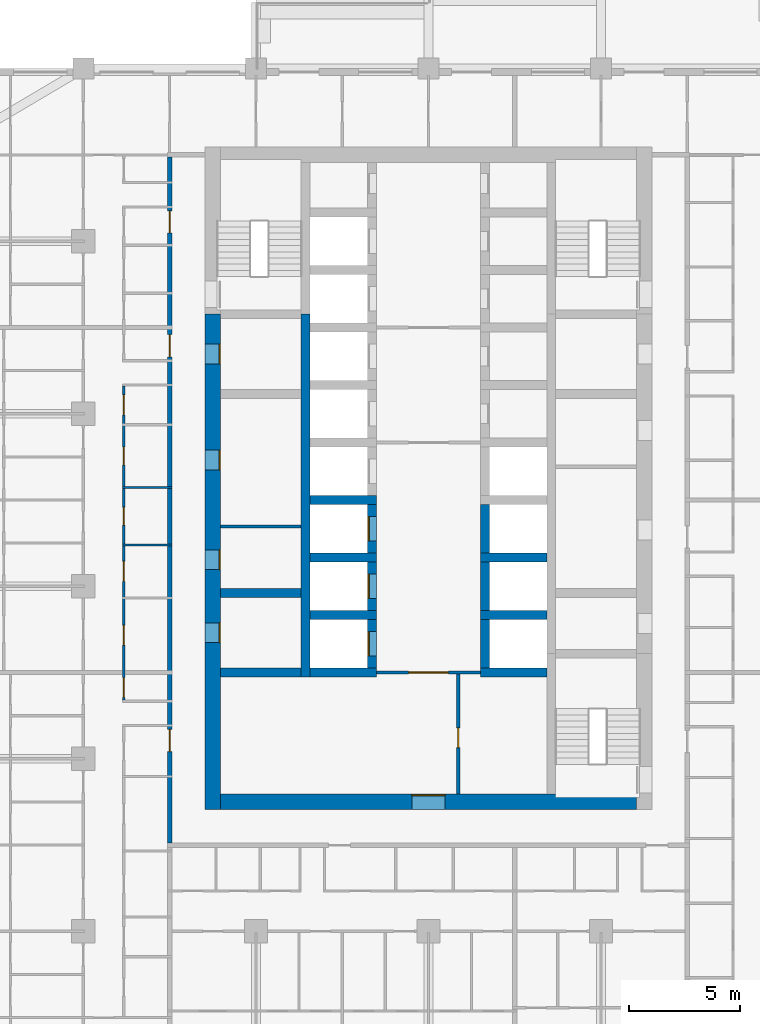
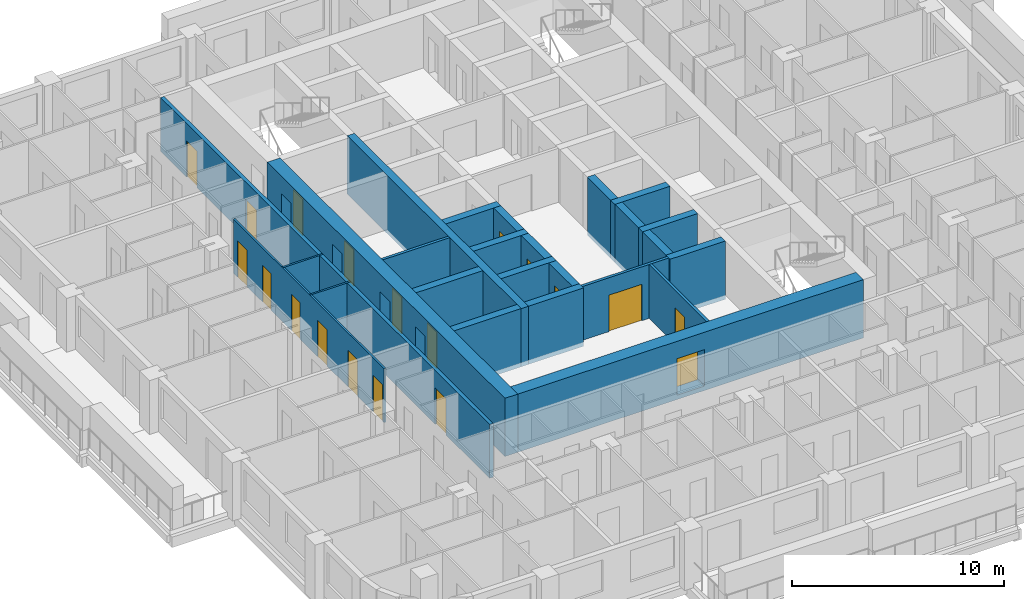
# One storey, part 6 of 17: 25 walls, 19 doors, 19 openings.
"""IFC4 building model written with IfcOpenShell, lengths in metres."""

from ifc_helpers import new_model, si_unit, direction, frame, frame_2d, origin, place, context, subcontext, project, spatial, rectangle, extrude, material, layer, layer_set, type_object, element, fill, save


model = new_model("IFC4")

# Units and contexts
model_context = context("Model", 3, precision=1e-05, world=origin(), true_north=direction((0.0, 1.0)))
body_context = subcontext(model_context, "Body", "Model", "MODEL_VIEW")
ifc_project = project(units=[si_unit("LENGTHUNIT", "METRE"), si_unit("AREAUNIT", "SQUARE_METRE"), si_unit("VOLUMEUNIT", "CUBIC_METRE"), si_unit("PLANEANGLEUNIT", "RADIAN"), si_unit("MASSUNIT", "GRAM", prefix="KILO")], contexts=[model_context])

# Site, building, storey
site_placement = place(None, origin())
site = spatial("IfcSite", under=ifc_project, at=site_placement, CompositionType="ELEMENT")
building_placement = place(site_placement, origin())
building = spatial("IfcBuilding", under=site, at=building_placement, Name="Ludao Terraces", CompositionType="ELEMENT")
storey_placement = place(building_placement, frame((0.0, 0.0, 92.0)))
storey = spatial("IfcBuildingStorey", under=building, at=storey_placement, Name="L25", CompositionType="ELEMENT", Elevation=92.0)

# Wall, openings, doors
ifc_material_1 = material(Name="Concrete C70", Category="concrete")
ifc_layer_1 = layer(ifc_material_1, 0.699951171875)
ifc_layer_set_1 = layer_set([ifc_layer_1], Name="Core wall 700 C70")
wall_type_1 = type_object("IfcWallType", Name="Core wall 700 C70", PredefinedType="SOLIDWALL", material=ifc_layer_set_1)
wall_1_placement = place(storey_placement, frame((75.25, 54.89990234375, -0.25), z_axis=(0.0, 0.0, 1.0), x_axis=(0.0, 1.0, 0.0)))
wall_1 = element("IfcWall", 1, at=wall_1_placement, inside=storey, type_object=wall_type_1, Name="Core wall L25 outer-W", PredefinedType="SOLIDWALL", context=body_context, shape_type="SweptSolid", body=[
    extrude(rectangle(XDim=22.400146484375, YDim=0.699951171875, at=frame_2d((11.2001953125, 0.0))), origin(), (0.0, 0.0, 1.0), 3.35009765625),
])
opening_1_placement = place(wall_1_placement, frame((7.550048828125, 0.0, 0.25)))
opening_1 = element("IfcOpeningElement", 2, at=opening_1_placement, cuts=wall_1, Name="Opening R07-077", PredefinedType="OPENING", context=body_context, shape_type="SweptSolid", body=[
    extrude(rectangle(XDim=0.89990234375, YDim=2.10009765625, at=frame_2d((0.449951171875, 1.050048828125))), frame((0.0, 0.35986328125, 0.0), z_axis=(0.0, -1.0, 0.0), x_axis=(1.0, 0.0, 0.0)), (0.0, 0.0, 1.0), 0.719970703125),
])
opening_2_placement = place(wall_1_placement, frame((10.85009765625, 0.0, 0.25)))
opening_2 = element("IfcOpeningElement", 3, at=opening_2_placement, cuts=wall_1, Name="Opening R07-087", PredefinedType="OPENING", context=body_context, shape_type="SweptSolid", body=[
    extrude(rectangle(XDim=0.89990234375, YDim=2.10009765625, at=frame_2d((0.449951171875, 1.050048828125))), frame((0.0, 0.35986328125, 0.0), z_axis=(0.0, -1.0, 0.0), x_axis=(1.0, 0.0, 0.0)), (0.0, 0.0, 1.0), 0.719970703125),
])
opening_3_placement = place(wall_1_placement, frame((15.35009765625, 0.0, 0.25)))
opening_3 = element("IfcOpeningElement", 4, at=opening_3_placement, cuts=wall_1, Name="Opening R07-101", PredefinedType="OPENING", context=body_context, shape_type="SweptSolid", body=[
    extrude(rectangle(XDim=0.89990234375, YDim=2.10009765625, at=frame_2d((0.449951171875, 1.050048828125))), frame((0.0, 0.35986328125, 0.0), z_axis=(0.0, -1.0, 0.0), x_axis=(1.0, 0.0, 0.0)), (0.0, 0.0, 1.0), 0.719970703125),
])
opening_4_placement = place(wall_1_placement, frame((20.14990234375, 0.0, 0.25)))
opening_4 = element("IfcOpeningElement", 5, at=opening_4_placement, cuts=wall_1, Name="Opening R07-119", PredefinedType="OPENING", context=body_context, shape_type="SweptSolid", body=[
    extrude(rectangle(XDim=0.89990234375, YDim=2.10009765625, at=frame_2d((0.449951171875, 1.050048828125))), frame((0.0, 0.35986328125, 0.0), z_axis=(0.0, -1.0, 0.0), x_axis=(1.0, 0.0, 0.0)), (0.0, 0.0, 1.0), 0.719970703125),
])
ifc_material_2 = material(Name="Steel Q235", Category="steel")
door_type_1 = type_object("IfcDoorType", Name="INT Riser door 900", OperationType="SINGLE_SWING_LEFT", PredefinedType="DOOR", material=ifc_material_2)
door_1_placement = place(opening_1_placement, origin())
door_1 = element("IfcDoor", 6, at=door_1_placement, inside=storey, type_object=door_type_1, Name="DOOR 077", OperationType="SINGLE_SWING_RIGHT", OverallHeight=2.10009765625, OverallWidth=0.89990234375, PredefinedType="DOOR", context=body_context, shape_type="SweptSolid", body=[
    extrude(rectangle(XDim=0.89990234375, YDim=2.10009765625, at=frame_2d((0.449951171875, 1.050048828125))), frame((0.0, -0.28515625, 0.0), z_axis=(0.0, -1.0, 0.0), x_axis=(1.0, 0.0, 0.0)), (0.0, 0.0, 1.0), 0.050048828125),
])
fill(opening_1, door_1)
door_2_placement = place(opening_4_placement, origin())
door_2 = element("IfcDoor", 7, at=door_2_placement, inside=storey, type_object=door_type_1, Name="DOOR 119", OperationType="SINGLE_SWING_RIGHT", OverallHeight=2.10009765625, OverallWidth=0.89990234375, PredefinedType="DOOR", context=body_context, shape_type="SweptSolid", body=[
    extrude(rectangle(XDim=0.89990234375, YDim=2.10009765625, at=frame_2d((0.449951171875, 1.050048828125))), frame((0.0, -0.28515625, 0.0), z_axis=(0.0, -1.0, 0.0), x_axis=(1.0, 0.0, 0.0)), (0.0, 0.0, 1.0), 0.050048828125),
])
fill(opening_4, door_2)
ifc_material_3 = material(Name="Timber door leaf", Category="wood")
door_type_2 = type_object("IfcDoorType", Name="INT Room door 900", OperationType="SINGLE_SWING_LEFT", PredefinedType="DOOR", material=ifc_material_3)
door_3_placement = place(opening_2_placement, origin())
door_3 = element("IfcDoor", 8, at=door_3_placement, inside=storey, type_object=door_type_2, Name="DOOR 087", OperationType="SINGLE_SWING_RIGHT", OverallHeight=2.10009765625, OverallWidth=0.89990234375, PredefinedType="DOOR", context=body_context, shape_type="SweptSolid", body=[
    extrude(rectangle(XDim=0.89990234375, YDim=2.10009765625, at=frame_2d((0.449951171875, 1.050048828125))), frame((0.0, -0.28515625, 0.0), z_axis=(0.0, -1.0, 0.0), x_axis=(1.0, 0.0, 0.0)), (0.0, 0.0, 1.0), 0.050048828125),
])
fill(opening_2, door_3)
door_4_placement = place(opening_3_placement, origin())
door_4 = element("IfcDoor", 9, at=door_4_placement, inside=storey, type_object=door_type_2, Name="DOOR 101", OperationType="SINGLE_SWING_LEFT", OverallHeight=2.10009765625, OverallWidth=0.89990234375, PredefinedType="DOOR", context=body_context, shape_type="SweptSolid", body=[
    extrude(rectangle(XDim=0.89990234375, YDim=2.10009765625, at=frame_2d((0.449951171875, 1.050048828125))), frame((0.0, -0.28515625, 0.0), z_axis=(0.0, -1.0, 0.0), x_axis=(1.0, 0.0, 0.0)), (0.0, 0.0, 1.0), 0.050048828125),
])
fill(opening_3, door_4)

# Wall, opening, door
wall_2_placement = place(storey_placement, frame((75.60009765625, 55.25, -0.25), z_axis=(0.0, 0.0, 1.0), x_axis=(1.0, 0.0, 0.0)))
wall_2 = element("IfcWall", 10, at=wall_2_placement, inside=storey, type_object=wall_type_1, Name="Core wall L25 outer-S", PredefinedType="SOLIDWALL", context=body_context, shape_type="SweptSolid", body=[
    extrude(rectangle(XDim=18.7998046875, YDim=0.699951171875, at=frame_2d((9.39990234375, 0.0))), origin(), (0.0, 0.0, 1.0), 3.35009765625),
])
opening_5_placement = place(wall_2_placement, frame((8.64990234375, 0.0, 0.25)))
opening_5 = element("IfcOpeningElement", 11, at=opening_5_placement, cuts=wall_2, Name="Opening R07-053", PredefinedType="OPENING", context=body_context, shape_type="SweptSolid", body=[
    extrude(rectangle(XDim=1.5, YDim=2.10009765625, at=frame_2d((0.75, 1.050048828125))), frame((0.0, 0.35986328125, 0.0), z_axis=(0.0, -1.0, 0.0), x_axis=(1.0, 0.0, 0.0)), (0.0, 0.0, 1.0), 0.719970703125),
])
door_type_3 = type_object("IfcDoorType", Name="INT Lobby door 1500", OperationType="DOUBLE_DOOR_SINGLE_SWING", PredefinedType="DOOR", material=ifc_material_2)
door_5_placement = place(opening_5_placement, origin())
door_5 = element("IfcDoor", 12, at=door_5_placement, inside=storey, type_object=door_type_3, Name="DOOR 053", OperationType="DOUBLE_DOOR_SINGLE_SWING", OverallHeight=2.10009765625, OverallWidth=1.5, PredefinedType="DOOR", context=body_context, shape_type="SweptSolid", body=[
    extrude(rectangle(XDim=1.5, YDim=2.10009765625, at=frame_2d((0.75, 1.050048828125))), frame((0.0, 0.3349609375, 0.0), z_axis=(0.0, -1.0, 0.0), x_axis=(1.0, 0.0, 0.0)), (0.0, 0.0, 1.0), 0.050048828125),
])
fill(opening_5, door_5)

ifc_material_4 = material(Name="Fire-rated gypsum plasterboard", Category="gypsum")
ifc_layer_2 = layer(ifc_material_4, 0.012451171875, Category="gypsum")
ifc_material_5 = material(Name="Mineral wool")
ifc_layer_3 = layer(ifc_material_5, 0.10009765625, Name="insulation")
ifc_layer_4 = layer(ifc_material_2, 0.02490234375, Name="stud")
ifc_layer_5 = layer(ifc_material_4, 0.012451171875, Category="gypsum")
ifc_layer_set_2 = layer_set([ifc_layer_2, ifc_layer_3, ifc_layer_4, ifc_layer_5], Name="INT Core partition 150")
wall_type_2 = type_object("IfcWallType", Name="INT Core partition 150", PredefinedType="PARTITIONING", material=ifc_layer_set_2)
wall_3_placement = place(storey_placement, frame((82.650146484375, 61.10009765625, 0.0), z_axis=(0.0, 0.0, 1.0), x_axis=(1.0, 0.0, 0.0)))
wall_3 = element("IfcWall", 13, at=wall_3_placement, inside=storey, type_object=wall_type_2, Name="PW-L25-PW033", PredefinedType="PARTITIONING", context=body_context, shape_type="SweptSolid", body=[
    extrude(rectangle(XDim=4.699951171875, YDim=0.14990234375, at=frame_2d((2.35009765625, 0.0))), origin(), (0.0, 0.0, 1.0), 3.10009765625),
])
opening_6_placement = place(wall_3_placement, frame((1.449951171875, 0.0, 0.0)))
opening_6 = element("IfcOpeningElement", 14, at=opening_6_placement, cuts=wall_3, Name="Opening R07-072", PredefinedType="OPENING", context=body_context, shape_type="SweptSolid", body=[
    extrude(rectangle(XDim=1.800048828125, YDim=2.10009765625, at=frame_2d((0.89990234375, 1.050048828125))), frame((0.0, 0.0849609375, 0.0), z_axis=(0.0, -1.0, 0.0), x_axis=(1.0, 0.0, 0.0)), (0.0, 0.0, 1.0), 0.169921875),
])
door_type_4 = type_object("IfcDoorType", Name="INT Fire lobby door 1800", OperationType="DOUBLE_DOOR_SINGLE_SWING", PredefinedType="DOOR", material=ifc_material_2)
door_6_placement = place(opening_6_placement, origin())
door_6 = element("IfcDoor", 15, at=door_6_placement, inside=storey, type_object=door_type_4, Name="DOOR 072", OperationType="DOUBLE_DOOR_SINGLE_SWING", OverallHeight=2.10009765625, OverallWidth=1.800048828125, PredefinedType="DOOR", context=body_context, shape_type="SweptSolid", body=[
    extrude(rectangle(XDim=1.800048828125, YDim=2.10009765625, at=frame_2d((0.89990234375, 1.050048828125))), frame((0.0, 0.02490234375, 0.0), z_axis=(0.0, -1.0, 0.0), x_axis=(1.0, 0.0, 0.0)), (0.0, 0.0, 1.0), 0.050048828125),
])
fill(opening_6, door_6)

# Wall
wall_4_placement = place(storey_placement, frame((75.60009765625, 67.699951171875, 0.0), z_axis=(0.0, 0.0, 1.0), x_axis=(1.0, 0.0, 0.0)))
element("IfcWall", 16, at=wall_4_placement, inside=storey, type_object=wall_type_2, Name="PW-L25-PW044", PredefinedType="PARTITIONING", context=body_context, shape_type="SweptSolid", body=[
    extrude(rectangle(XDim=3.64990234375, YDim=0.14990234375, at=frame_2d((1.824951171875, 0.0))), origin(), (0.0, 0.0, 1.0), 3.10009765625),
])

# Wall, opening, door
wall_5_placement = place(storey_placement, frame((86.35009765625, 55.60009765625, 0.0), z_axis=(0.0, 0.0, 1.0), x_axis=(0.0, 1.0, 0.0)))
wall_5 = element("IfcWall", 17, at=wall_5_placement, inside=storey, type_object=wall_type_2, Name="PW-L25-PW104", PredefinedType="PARTITIONING", context=body_context, shape_type="SweptSolid", body=[
    extrude(rectangle(XDim=5.425048828125, YDim=0.14990234375, at=frame_2d((2.71240234375, 0.0))), origin(), (0.0, 0.0, 1.0), 3.10009765625),
])
opening_7_placement = place(wall_5_placement, frame((2.10009765625, 0.0, 0.0)))
opening_7 = element("IfcOpeningElement", 18, at=opening_7_placement, cuts=wall_5, Name="Opening R07-063", PredefinedType="OPENING", context=body_context, shape_type="SweptSolid", body=[
    extrude(rectangle(XDim=0.89990234375, YDim=2.10009765625, at=frame_2d((0.449951171875, 1.050048828125))), frame((0.0, 0.0849609375, 0.0), z_axis=(0.0, -1.0, 0.0), x_axis=(1.0, 0.0, 0.0)), (0.0, 0.0, 1.0), 0.169921875),
])
door_7_placement = place(opening_7_placement, origin())
door_7 = element("IfcDoor", 19, at=door_7_placement, inside=storey, type_object=door_type_2, Name="DOOR 063", OperationType="SINGLE_SWING_RIGHT", OverallHeight=2.10009765625, OverallWidth=0.89990234375, PredefinedType="DOOR", context=body_context, shape_type="SweptSolid", body=[
    extrude(rectangle(XDim=0.89990234375, YDim=2.10009765625, at=frame_2d((0.449951171875, 1.050048828125))), frame((0.0, 0.02490234375, 0.0), z_axis=(0.0, -1.0, 0.0), x_axis=(1.0, 0.0, 0.0)), (0.0, 0.0, 1.0), 0.050048828125),
])
fill(opening_7, door_7)

# Wall, openings, doors
ifc_material_6 = material(Name="Autoclaved aerated concrete block B06 A3.5", Category="concrete")
ifc_layer_6 = layer(ifc_material_6, 0.199951171875)
ifc_layer_set_3 = layer_set([ifc_layer_6], Name="INT Entrance wall 200")
wall_type_3 = type_object("IfcWallType", Name="INT Entrance wall 200", PredefinedType="PARTITIONING", material=ifc_layer_set_3)
wall_6_placement = place(storey_placement, frame((73.300048828125, 53.400146484375, 0.0), z_axis=(0.0, 0.0, 1.0), x_axis=(0.0, 1.0, 0.0)))
wall_6 = element("IfcWall", 20, at=wall_6_placement, inside=storey, type_object=wall_type_3, Name="PW-L25-PW088", PredefinedType="PARTITIONING", context=body_context, shape_type="SweptSolid", body=[
    extrude(rectangle(XDim=31.0, YDim=0.199951171875, at=frame_2d((15.5, 0.0))), origin(), (0.0, 0.0, 1.0), 3.10009765625),
])
opening_8_placement = place(wall_6_placement, frame((4.125, 0.0, 0.0)))
opening_8 = element("IfcOpeningElement", 21, at=opening_8_placement, cuts=wall_6, Name="Opening R07-062", PredefinedType="OPENING", context=body_context, shape_type="SweptSolid", body=[
    extrude(rectangle(XDim=1.0, YDim=2.10009765625, at=frame_2d((0.5, 1.050048828125))), frame((0.0, 0.10986328125, 0.0), z_axis=(0.0, -1.0, 0.0), x_axis=(1.0, 0.0, 0.0)), (0.0, 0.0, 1.0), 0.219970703125),
])
opening_9_placement = place(wall_6_placement, frame((21.97509765625, 0.0, 0.0)))
opening_9 = element("IfcOpeningElement", 22, at=opening_9_placement, cuts=wall_6, Name="Opening R07-124", PredefinedType="OPENING", context=body_context, shape_type="SweptSolid", body=[
    extrude(rectangle(XDim=1.0, YDim=2.10009765625, at=frame_2d((0.5, 1.050048828125))), frame((0.0, 0.10986328125, 0.0), z_axis=(0.0, -1.0, 0.0), x_axis=(1.0, 0.0, 0.0)), (0.0, 0.0, 1.0), 0.219970703125),
])
opening_10_placement = place(wall_6_placement, frame((27.574951171875, 0.0, 0.0)))
opening_10 = element("IfcOpeningElement", 23, at=opening_10_placement, cuts=wall_6, Name="Opening R07-143", PredefinedType="OPENING", context=body_context, shape_type="SweptSolid", body=[
    extrude(rectangle(XDim=1.0, YDim=2.10009765625, at=frame_2d((0.5, 1.050048828125))), frame((0.0, 0.10986328125, 0.0), z_axis=(0.0, -1.0, 0.0), x_axis=(1.0, 0.0, 0.0)), (0.0, 0.0, 1.0), 0.219970703125),
])
door_type_5 = type_object("IfcDoorType", Name="INT Flat entrance door 1000", OperationType="SINGLE_SWING_LEFT", PredefinedType="DOOR", material=ifc_material_2)
door_8_placement = place(opening_8_placement, origin())
door_8 = element("IfcDoor", 24, at=door_8_placement, inside=storey, type_object=door_type_5, Name="DOOR 062", OperationType="SINGLE_SWING_LEFT", OverallHeight=2.10009765625, OverallWidth=1.0, PredefinedType="DOOR", context=body_context, shape_type="SweptSolid", body=[
    extrude(rectangle(XDim=1.0, YDim=2.10009765625, at=frame_2d((0.5, 1.050048828125))), frame((0.0, 0.02490234375, 0.0), z_axis=(0.0, -1.0, 0.0), x_axis=(1.0, 0.0, 0.0)), (0.0, 0.0, 1.0), 0.050048828125),
])
fill(opening_8, door_8)
door_9_placement = place(opening_9_placement, origin())
door_9 = element("IfcDoor", 25, at=door_9_placement, inside=storey, type_object=door_type_5, Name="DOOR 124", OperationType="SINGLE_SWING_RIGHT", OverallHeight=2.10009765625, OverallWidth=1.0, PredefinedType="DOOR", context=body_context, shape_type="SweptSolid", body=[
    extrude(rectangle(XDim=1.0, YDim=2.10009765625, at=frame_2d((0.5, 1.050048828125))), frame((0.0, 0.02490234375, 0.0), z_axis=(0.0, -1.0, 0.0), x_axis=(1.0, 0.0, 0.0)), (0.0, 0.0, 1.0), 0.050048828125),
])
fill(opening_9, door_9)
door_10_placement = place(opening_10_placement, origin())
door_10 = element("IfcDoor", 26, at=door_10_placement, inside=storey, type_object=door_type_5, Name="DOOR 143", OperationType="SINGLE_SWING_LEFT", OverallHeight=2.10009765625, OverallWidth=1.0, PredefinedType="DOOR", context=body_context, shape_type="SweptSolid", body=[
    extrude(rectangle(XDim=1.0, YDim=2.10009765625, at=frame_2d((0.5, 1.050048828125))), frame((0.0, 0.02490234375, 0.0), z_axis=(0.0, -1.0, 0.0), x_axis=(1.0, 0.0, 0.0)), (0.0, 0.0, 1.0), 0.050048828125),
])
fill(opening_10, door_10)

# Walls
ifc_material_7 = material(Name="Gypsum plasterboard", Category="gypsum")
ifc_layer_7 = layer(ifc_material_7, 0.012451171875, Category="gypsum")
ifc_layer_8 = layer(ifc_material_5, 0.06005859375, Name="insulation")
ifc_layer_9 = layer(ifc_material_2, 0.014892578125, Name="stud")
ifc_layer_10 = layer(ifc_material_7, 0.012451171875, Category="gypsum")
ifc_layer_set_4 = layer_set([ifc_layer_7, ifc_layer_8, ifc_layer_9, ifc_layer_10], Name="INT Partition 100")
wall_type_4 = type_object("IfcWallType", Name="INT Partition 100", PredefinedType="PARTITIONING", material=ifc_layer_set_4)
for number, where, z_axis, x_axis, name in (
    (27, (71.18017578125, 66.8701171875, 0.0), (0.0, 0.0, 1.0), (1.0, 0.0, 0.0), "PW-L25-PW042"),
    (28, (71.18017578125, 69.469970703125, 0.0), (0.0, 0.0, 1.0), (1.0, 0.0, 0.0), "PW-L25-PW047"),
):
    element("IfcWall", number, at=place(storey_placement, frame(where, z_axis=z_axis, x_axis=x_axis)), inside=storey, type_object=wall_type_4, Name=name, PredefinedType="PARTITIONING", context=body_context, shape_type="SweptSolid", body=[
        extrude(rectangle(XDim=2.219970703125, YDim=0.10009765625, at=frame_2d((1.10986328125, 0.0))), origin(), (0.0, 0.0, 1.0), 3.10009765625),
    ])

# Wall, openings, doors
wall_7_placement = place(storey_placement, frame((71.22998046875, 59.85009765625, 0.0), z_axis=(0.0, 0.0, 1.0), x_axis=(0.0, 1.0, 0.0)))
wall_7 = element("IfcWall", 29, at=wall_7_placement, inside=storey, type_object=wall_type_4, Name="PW-L25-PW084", PredefinedType="PARTITIONING", context=body_context, shape_type="SweptSolid", body=[
    extrude(rectangle(XDim=14.199951171875, YDim=0.10009765625, at=frame_2d((7.10009765625, 0.0))), origin(), (0.0, 0.0, 1.0), 3.10009765625),
])
opening_11_placement = place(wall_7_placement, frame((0.125, 0.0, 0.0)))
opening_11 = element("IfcOpeningElement", 30, at=opening_11_placement, cuts=wall_7, Name="Opening R07-070", PredefinedType="OPENING", context=body_context, shape_type="SweptSolid", body=[
    extrude(rectangle(XDim=0.89990234375, YDim=2.10009765625, at=frame_2d((0.449951171875, 1.050048828125))), frame((0.0, 0.06005859375, 0.0), z_axis=(0.0, -1.0, 0.0), x_axis=(1.0, 0.0, 0.0)), (0.0, 0.0, 1.0), 0.1201171875),
])
opening_12_placement = place(wall_7_placement, frame((2.485107421875, 0.0, 0.0)))
opening_12 = element("IfcOpeningElement", 31, at=opening_12_placement, cuts=wall_7, Name="Opening R07-076", PredefinedType="OPENING", context=body_context, shape_type="SweptSolid", body=[
    extrude(rectangle(XDim=0.89990234375, YDim=2.10009765625, at=frame_2d((0.449951171875, 1.050048828125))), frame((0.0, 0.06005859375, 0.0), z_axis=(0.0, -1.0, 0.0), x_axis=(1.0, 0.0, 0.0)), (0.0, 0.0, 1.0), 0.1201171875),
])
opening_13_placement = place(wall_7_placement, frame((5.3701171875, 0.0, 0.0)))
opening_13 = element("IfcOpeningElement", 32, at=opening_13_placement, cuts=wall_7, Name="Opening R07-085", PredefinedType="OPENING", context=body_context, shape_type="SweptSolid", body=[
    extrude(rectangle(XDim=0.89990234375, YDim=2.10009765625, at=frame_2d((0.449951171875, 1.050048828125))), frame((0.0, 0.06005859375, 0.0), z_axis=(0.0, -1.0, 0.0), x_axis=(1.0, 0.0, 0.0)), (0.0, 0.0, 1.0), 0.1201171875),
])
opening_14_placement = place(wall_7_placement, frame((7.919921875, 0.0, 0.0)))
opening_14 = element("IfcOpeningElement", 33, at=opening_14_placement, cuts=wall_7, Name="Opening R07-096", PredefinedType="OPENING", context=body_context, shape_type="SweptSolid", body=[
    extrude(rectangle(XDim=0.800048828125, YDim=2.10009765625, at=frame_2d((0.39990234375, 1.050048828125))), frame((0.0, 0.06005859375, 0.0), z_axis=(0.0, -1.0, 0.0), x_axis=(1.0, 0.0, 0.0)), (0.0, 0.0, 1.0), 0.1201171875),
])
opening_15_placement = place(wall_7_placement, frame((10.635009765625, 0.0, 0.0)))
opening_15 = element("IfcOpeningElement", 34, at=opening_15_placement, cuts=wall_7, Name="Opening R07-102", PredefinedType="OPENING", context=body_context, shape_type="SweptSolid", body=[
    extrude(rectangle(XDim=0.800048828125, YDim=2.10009765625, at=frame_2d((0.39990234375, 1.050048828125))), frame((0.0, 0.06005859375, 0.0), z_axis=(0.0, -1.0, 0.0), x_axis=(1.0, 0.0, 0.0)), (0.0, 0.0, 1.0), 0.1201171875),
])
opening_16_placement = place(wall_7_placement, frame((12.89990234375, 0.0, 0.0)))
opening_16 = element("IfcOpeningElement", 35, at=opening_16_placement, cuts=wall_7, Name="Opening R07-112", PredefinedType="OPENING", context=body_context, shape_type="SweptSolid", body=[
    extrude(rectangle(XDim=0.89990234375, YDim=2.10009765625, at=frame_2d((0.449951171875, 1.050048828125))), frame((0.0, 0.06005859375, 0.0), z_axis=(0.0, -1.0, 0.0), x_axis=(1.0, 0.0, 0.0)), (0.0, 0.0, 1.0), 0.1201171875),
])
door_type_6 = type_object("IfcDoorType", Name="INT Bathroom door 900", OperationType="SINGLE_SWING_LEFT", PredefinedType="DOOR", material=ifc_material_3)
door_11_placement = place(opening_11_placement, origin())
door_11 = element("IfcDoor", 36, at=door_11_placement, inside=storey, type_object=door_type_6, Name="DOOR 070", OperationType="SINGLE_SWING_LEFT", OverallHeight=2.10009765625, OverallWidth=0.89990234375, PredefinedType="DOOR", context=body_context, shape_type="SweptSolid", body=[
    extrude(rectangle(XDim=0.89990234375, YDim=2.10009765625, at=frame_2d((0.449951171875, 1.050048828125))), frame((0.0, 0.02490234375, 0.0), z_axis=(0.0, -1.0, 0.0), x_axis=(1.0, 0.0, 0.0)), (0.0, 0.0, 1.0), 0.050048828125),
])
fill(opening_11, door_11)
door_12_placement = place(opening_13_placement, origin())
door_12 = element("IfcDoor", 37, at=door_12_placement, inside=storey, type_object=door_type_6, Name="DOOR 085", OperationType="SINGLE_SWING_RIGHT", OverallHeight=2.10009765625, OverallWidth=0.89990234375, PredefinedType="DOOR", context=body_context, shape_type="SweptSolid", body=[
    extrude(rectangle(XDim=0.89990234375, YDim=2.10009765625, at=frame_2d((0.449951171875, 1.050048828125))), frame((0.0, 0.02490234375, 0.0), z_axis=(0.0, -1.0, 0.0), x_axis=(1.0, 0.0, 0.0)), (0.0, 0.0, 1.0), 0.050048828125),
])
fill(opening_13, door_12)
door_13_placement = place(opening_16_placement, origin())
door_13 = element("IfcDoor", 38, at=door_13_placement, inside=storey, type_object=door_type_6, Name="DOOR 112", OperationType="SINGLE_SWING_RIGHT", OverallHeight=2.10009765625, OverallWidth=0.89990234375, PredefinedType="DOOR", context=body_context, shape_type="SweptSolid", body=[
    extrude(rectangle(XDim=0.89990234375, YDim=2.10009765625, at=frame_2d((0.449951171875, 1.050048828125))), frame((0.0, 0.02490234375, 0.0), z_axis=(0.0, -1.0, 0.0), x_axis=(1.0, 0.0, 0.0)), (0.0, 0.0, 1.0), 0.050048828125),
])
fill(opening_16, door_13)
door_14_placement = place(opening_12_placement, origin())
door_14 = element("IfcDoor", 39, at=door_14_placement, inside=storey, type_object=door_type_2, Name="DOOR 076", OperationType="SINGLE_SWING_RIGHT", OverallHeight=2.10009765625, OverallWidth=0.89990234375, PredefinedType="DOOR", context=body_context, shape_type="SweptSolid", body=[
    extrude(rectangle(XDim=0.89990234375, YDim=2.10009765625, at=frame_2d((0.449951171875, 1.050048828125))), frame((0.0, 0.02490234375, 0.0), z_axis=(0.0, -1.0, 0.0), x_axis=(1.0, 0.0, 0.0)), (0.0, 0.0, 1.0), 0.050048828125),
])
fill(opening_12, door_14)
door_type_7 = type_object("IfcDoorType", Name="INT Store door 800", OperationType="SINGLE_SWING_LEFT", PredefinedType="DOOR", material=ifc_material_3)
door_15_placement = place(opening_14_placement, origin())
door_15 = element("IfcDoor", 40, at=door_15_placement, inside=storey, type_object=door_type_7, Name="DOOR 096", OperationType="SINGLE_SWING_RIGHT", OverallHeight=2.10009765625, OverallWidth=0.800048828125, PredefinedType="DOOR", context=body_context, shape_type="SweptSolid", body=[
    extrude(rectangle(XDim=0.800048828125, YDim=2.10009765625, at=frame_2d((0.39990234375, 1.050048828125))), frame((0.0, 0.02490234375, 0.0), z_axis=(0.0, -1.0, 0.0), x_axis=(1.0, 0.0, 0.0)), (0.0, 0.0, 1.0), 0.050048828125),
])
fill(opening_14, door_15)
door_16_placement = place(opening_15_placement, origin())
door_16 = element("IfcDoor", 41, at=door_16_placement, inside=storey, type_object=door_type_7, Name="DOOR 102", OperationType="SINGLE_SWING_RIGHT", OverallHeight=2.10009765625, OverallWidth=0.800048828125, PredefinedType="DOOR", context=body_context, shape_type="SweptSolid", body=[
    extrude(rectangle(XDim=0.800048828125, YDim=2.10009765625, at=frame_2d((0.39990234375, 1.050048828125))), frame((0.0, 0.02490234375, 0.0), z_axis=(0.0, -1.0, 0.0), x_axis=(1.0, 0.0, 0.0)), (0.0, 0.0, 1.0), 0.050048828125),
])
fill(opening_15, door_16)

# Walls
ifc_material_8 = material(Name="Concrete C60", Category="concrete")
ifc_layer_11 = layer(ifc_material_8, 0.39990234375)
ifc_layer_set_5 = layer_set([ifc_layer_11], Name="Shaft wall 400 C60")
wall_type_5 = type_object("IfcWallType", Name="Shaft wall 400 C60", PredefinedType="SOLIDWALL", material=ifc_layer_set_5)
wall_8_placement = place(storey_placement, frame((79.449951171875, 60.89990234375, -0.25), z_axis=(0.0, 0.0, 1.0), x_axis=(0.0, 1.0, 0.0)))
element("IfcWall", 42, at=wall_8_placement, inside=storey, type_object=wall_type_5, Name="Core wall L25 back-W", PredefinedType="SOLIDWALL", context=body_context, shape_type="SweptSolid", body=[
    extrude(rectangle(XDim=16.400146484375, YDim=0.39990234375, at=frame_2d((8.2001953125, 0.0))), origin(), (0.0, 0.0, 1.0), 3.35009765625),
])
wall_9_placement = place(storey_placement, frame((79.64990234375, 61.10009765625, -0.25), z_axis=(0.0, 0.0, 1.0), x_axis=(1.0, 0.0, 0.0)))
element("IfcWall", 43, at=wall_9_placement, inside=storey, type_object=wall_type_5, Name="Core wall L25 div-W1", PredefinedType="SOLIDWALL", context=body_context, shape_type="SweptSolid", body=[
    extrude(rectangle(XDim=3.0, YDim=0.39990234375, at=frame_2d((1.5, 0.0))), origin(), (0.0, 0.0, 1.0), 3.35009765625),
])

# Wall, opening, door
wall_10_placement = place(storey_placement, frame((82.449951171875, 61.300048828125, -0.25), z_axis=(0.0, 0.0, 1.0), x_axis=(0.0, 1.0, 0.0)))
wall_10 = element("IfcWall", 44, at=wall_10_placement, inside=storey, type_object=wall_type_5, Name="Core wall L25 front-W1", PredefinedType="SOLIDWALL", context=body_context, shape_type="SweptSolid", body=[
    extrude(rectangle(XDim=2.199951171875, YDim=0.39990234375, at=frame_2d((1.10009765625, 0.0))), origin(), (0.0, 0.0, 1.0), 3.35009765625),
])
opening_17_placement = place(wall_10_placement, frame((0.550048828125, 0.0, 0.25)))
opening_17 = element("IfcOpeningElement", 45, at=opening_17_placement, cuts=wall_10, Name="Opening LD-LA1", PredefinedType="OPENING", context=body_context, shape_type="SweptSolid", body=[
    extrude(rectangle(XDim=1.10009765625, YDim=2.10009765625, at=frame_2d((0.550048828125, 1.050048828125))), frame((0.0, 0.2099609375, 0.0), z_axis=(0.0, -1.0, 0.0), x_axis=(1.0, 0.0, 0.0)), (0.0, 0.0, 1.0), 0.419921875),
])
ifc_material_9 = material(Name="Stainless steel 304", Category="steel")
door_type_8 = type_object("IfcDoorType", Name="INT Lift landing door 1100", OperationType="SLIDING_TO_LEFT", PredefinedType="DOOR", material=ifc_material_9)
door_17_placement = place(opening_17_placement, origin())
door_17 = element("IfcDoor", 46, at=door_17_placement, inside=storey, type_object=door_type_8, Name="LANDING DOOR LA1 L25", OperationType="SLIDING_TO_RIGHT", OverallHeight=2.10009765625, OverallWidth=1.10009765625, PredefinedType="DOOR", context=body_context, shape_type="SweptSolid", body=[
    extrude(rectangle(XDim=1.10009765625, YDim=2.10009765625, at=frame_2d((0.550048828125, 1.050048828125))), frame((0.0, 0.18505859375, 0.0), z_axis=(0.0, -1.0, 0.0), x_axis=(1.0, 0.0, 0.0)), (0.0, 0.0, 1.0), 0.050048828125),
])
fill(opening_17, door_17)

# Wall
wall_11_placement = place(storey_placement, frame((79.64990234375, 63.699951171875, -0.25), z_axis=(0.0, 0.0, 1.0), x_axis=(1.0, 0.0, 0.0)))
element("IfcWall", 47, at=wall_11_placement, inside=storey, type_object=wall_type_5, Name="Core wall L25 div-W2", PredefinedType="SOLIDWALL", context=body_context, shape_type="SweptSolid", body=[
    extrude(rectangle(XDim=3.0, YDim=0.39990234375, at=frame_2d((1.5, 0.0))), origin(), (0.0, 0.0, 1.0), 3.35009765625),
])

# Wall, opening, door
wall_12_placement = place(storey_placement, frame((82.449951171875, 63.89990234375, -0.25), z_axis=(0.0, 0.0, 1.0), x_axis=(0.0, 1.0, 0.0)))
wall_12 = element("IfcWall", 48, at=wall_12_placement, inside=storey, type_object=wall_type_5, Name="Core wall L25 front-W2", PredefinedType="SOLIDWALL", context=body_context, shape_type="SweptSolid", body=[
    extrude(rectangle(XDim=2.2001953125, YDim=0.39990234375, at=frame_2d((1.10009765625, 0.0))), origin(), (0.0, 0.0, 1.0), 3.35009765625),
])
opening_18_placement = place(wall_12_placement, frame((0.550048828125, 0.0, 0.25)))
opening_18 = element("IfcOpeningElement", 49, at=opening_18_placement, cuts=wall_12, Name="Opening LD-LA2", PredefinedType="OPENING", context=body_context, shape_type="SweptSolid", body=[
    extrude(rectangle(XDim=1.10009765625, YDim=2.10009765625, at=frame_2d((0.550048828125, 1.050048828125))), frame((0.0, 0.2099609375, 0.0), z_axis=(0.0, -1.0, 0.0), x_axis=(1.0, 0.0, 0.0)), (0.0, 0.0, 1.0), 0.419921875),
])
door_18_placement = place(opening_18_placement, origin())
door_18 = element("IfcDoor", 50, at=door_18_placement, inside=storey, type_object=door_type_8, Name="LANDING DOOR LA2 L25", OperationType="SLIDING_TO_RIGHT", OverallHeight=2.10009765625, OverallWidth=1.10009765625, PredefinedType="DOOR", context=body_context, shape_type="SweptSolid", body=[
    extrude(rectangle(XDim=1.10009765625, YDim=2.10009765625, at=frame_2d((0.550048828125, 1.050048828125))), frame((0.0, 0.18505859375, 0.0), z_axis=(0.0, -1.0, 0.0), x_axis=(1.0, 0.0, 0.0)), (0.0, 0.0, 1.0), 0.050048828125),
])
fill(opening_18, door_18)

# Wall
wall_13_placement = place(storey_placement, frame((79.64990234375, 66.300048828125, -0.25), z_axis=(0.0, 0.0, 1.0), x_axis=(1.0, 0.0, 0.0)))
element("IfcWall", 51, at=wall_13_placement, inside=storey, type_object=wall_type_5, Name="Core wall L25 div-W3", PredefinedType="SOLIDWALL", context=body_context, shape_type="SweptSolid", body=[
    extrude(rectangle(XDim=3.0, YDim=0.39990234375, at=frame_2d((1.5, 0.0))), origin(), (0.0, 0.0, 1.0), 3.35009765625),
])

# Wall, opening, door
wall_14_placement = place(storey_placement, frame((82.449951171875, 66.5, -0.25), z_axis=(0.0, 0.0, 1.0), x_axis=(0.0, 1.0, 0.0)))
wall_14 = element("IfcWall", 52, at=wall_14_placement, inside=storey, type_object=wall_type_5, Name="Core wall L25 front-W3", PredefinedType="SOLIDWALL", context=body_context, shape_type="SweptSolid", body=[
    extrude(rectangle(XDim=2.199951171875, YDim=0.39990234375, at=frame_2d((1.10009765625, 0.0))), origin(), (0.0, 0.0, 1.0), 3.35009765625),
])
opening_19_placement = place(wall_14_placement, frame((0.550048828125, 0.0, 0.25)))
opening_19 = element("IfcOpeningElement", 53, at=opening_19_placement, cuts=wall_14, Name="Opening LD-LA3", PredefinedType="OPENING", context=body_context, shape_type="SweptSolid", body=[
    extrude(rectangle(XDim=1.10009765625, YDim=2.10009765625, at=frame_2d((0.550048828125, 1.050048828125))), frame((0.0, 0.2099609375, 0.0), z_axis=(0.0, -1.0, 0.0), x_axis=(1.0, 0.0, 0.0)), (0.0, 0.0, 1.0), 0.419921875),
])
door_19_placement = place(opening_19_placement, origin())
door_19 = element("IfcDoor", 54, at=door_19_placement, inside=storey, type_object=door_type_8, Name="LANDING DOOR LA3 L25", OperationType="SLIDING_TO_RIGHT", OverallHeight=2.10009765625, OverallWidth=1.10009765625, PredefinedType="DOOR", context=body_context, shape_type="SweptSolid", body=[
    extrude(rectangle(XDim=1.10009765625, YDim=2.10009765625, at=frame_2d((0.550048828125, 1.050048828125))), frame((0.0, 0.18505859375, 0.0), z_axis=(0.0, -1.0, 0.0), x_axis=(1.0, 0.0, 0.0)), (0.0, 0.0, 1.0), 0.050048828125),
])
fill(opening_19, door_19)

# Walls
for number, where, z_axis, x_axis, name in (
    (55, (79.64990234375, 68.89990234375, -0.25), (0.0, 0.0, 1.0), (1.0, 0.0, 0.0), "Core wall L25 div-W4"),
    (56, (87.35009765625, 61.10009765625, -0.25), (0.0, 0.0, 1.0), (1.0, 0.0, 0.0), "Core wall L25 div-E1"),
):
    element("IfcWall", number, at=place(storey_placement, frame(where, z_axis=z_axis, x_axis=x_axis)), inside=storey, type_object=wall_type_5, Name=name, PredefinedType="SOLIDWALL", context=body_context, shape_type="SweptSolid", body=[
        extrude(rectangle(XDim=3.0, YDim=0.39990234375, at=frame_2d((1.5, 0.0))), origin(), (0.0, 0.0, 1.0), 3.35009765625),
    ])
wall_15_placement = place(storey_placement, frame((87.550048828125, 61.300048828125, -0.25), z_axis=(0.0, 0.0, 1.0), x_axis=(0.0, 1.0, 0.0)))
element("IfcWall", 57, at=wall_15_placement, inside=storey, type_object=wall_type_5, Name="Core wall L25 front-E1", PredefinedType="SOLIDWALL", context=body_context, shape_type="SweptSolid", body=[
    extrude(rectangle(XDim=2.199951171875, YDim=0.39990234375, at=frame_2d((1.10009765625, 0.0))), origin(), (0.0, 0.0, 1.0), 3.35009765625),
])
wall_16_placement = place(storey_placement, frame((87.35009765625, 63.699951171875, -0.25), z_axis=(0.0, 0.0, 1.0), x_axis=(1.0, 0.0, 0.0)))
element("IfcWall", 58, at=wall_16_placement, inside=storey, type_object=wall_type_5, Name="Core wall L25 div-E2", PredefinedType="SOLIDWALL", context=body_context, shape_type="SweptSolid", body=[
    extrude(rectangle(XDim=3.0, YDim=0.39990234375, at=frame_2d((1.5, 0.0))), origin(), (0.0, 0.0, 1.0), 3.35009765625),
])
wall_17_placement = place(storey_placement, frame((87.550048828125, 63.89990234375, -0.25), z_axis=(0.0, 0.0, 1.0), x_axis=(0.0, 1.0, 0.0)))
element("IfcWall", 59, at=wall_17_placement, inside=storey, type_object=wall_type_5, Name="Core wall L25 front-E2", PredefinedType="SOLIDWALL", context=body_context, shape_type="SweptSolid", body=[
    extrude(rectangle(XDim=2.2001953125, YDim=0.39990234375, at=frame_2d((1.10009765625, 0.0))), origin(), (0.0, 0.0, 1.0), 3.35009765625),
])
wall_18_placement = place(storey_placement, frame((87.35009765625, 66.300048828125, -0.25), z_axis=(0.0, 0.0, 1.0), x_axis=(1.0, 0.0, 0.0)))
element("IfcWall", 60, at=wall_18_placement, inside=storey, type_object=wall_type_5, Name="Core wall L25 div-E3", PredefinedType="SOLIDWALL", context=body_context, shape_type="SweptSolid", body=[
    extrude(rectangle(XDim=3.0, YDim=0.39990234375, at=frame_2d((1.5, 0.0))), origin(), (0.0, 0.0, 1.0), 3.35009765625),
])
wall_19_placement = place(storey_placement, frame((87.550048828125, 66.5, -0.25), z_axis=(0.0, 0.0, 1.0), x_axis=(0.0, 1.0, 0.0)))
element("IfcWall", 61, at=wall_19_placement, inside=storey, type_object=wall_type_5, Name="Core wall L25 front-E3", PredefinedType="SOLIDWALL", context=body_context, shape_type="SweptSolid", body=[
    extrude(rectangle(XDim=2.199951171875, YDim=0.39990234375, at=frame_2d((1.10009765625, 0.0))), origin(), (0.0, 0.0, 1.0), 3.35009765625),
])
for number, where, z_axis, x_axis, name in (
    (62, (75.60009765625, 61.10009765625, -0.25), (0.0, 0.0, 1.0), (1.0, 0.0, 0.0), "Core wall L25 hall-W"),
    (63, (75.60009765625, 64.699951171875, -0.25), (0.0, 0.0, 1.0), (1.0, 0.0, 0.0), "Core wall L25 riser-a-W"),
):
    element("IfcWall", number, at=place(storey_placement, frame(where, z_axis=z_axis, x_axis=x_axis)), inside=storey, type_object=wall_type_5, Name=name, PredefinedType="SOLIDWALL", context=body_context, shape_type="SweptSolid", body=[
        extrude(rectangle(XDim=3.64990234375, YDim=0.39990234375, at=frame_2d((1.824951171875, 0.0))), origin(), (0.0, 0.0, 1.0), 3.35009765625),
    ])

save(model, "model.ifc")
